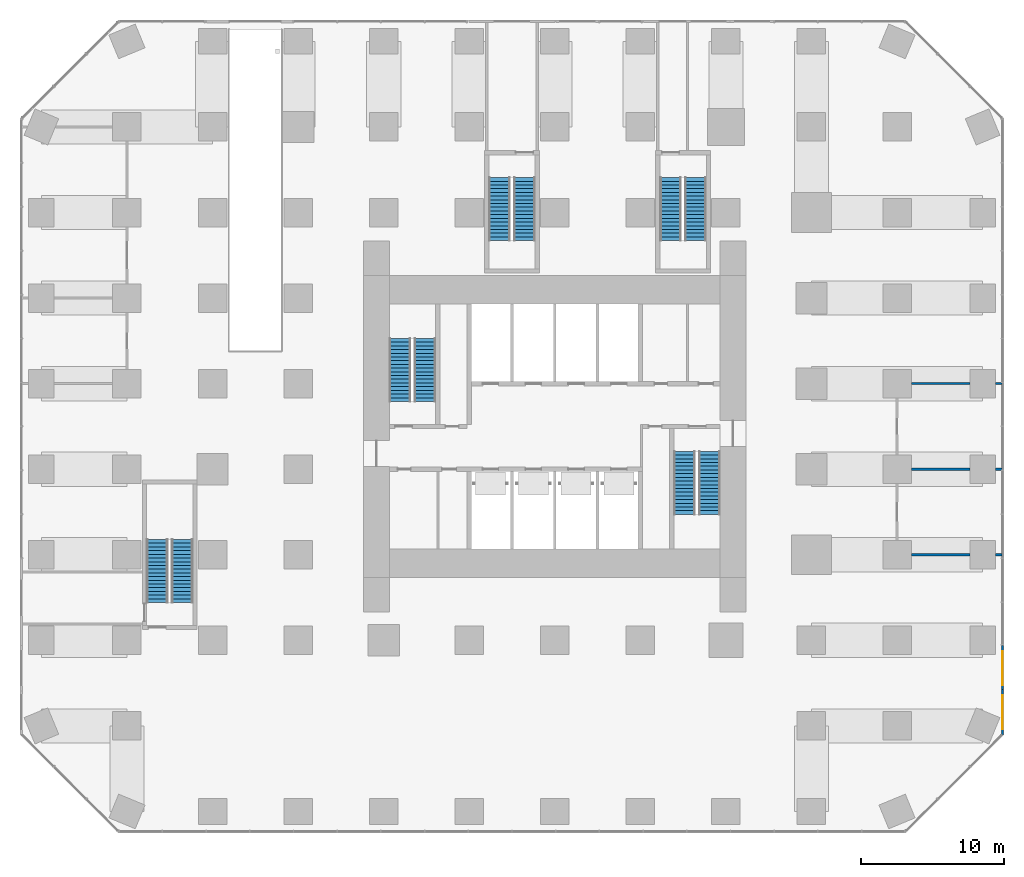
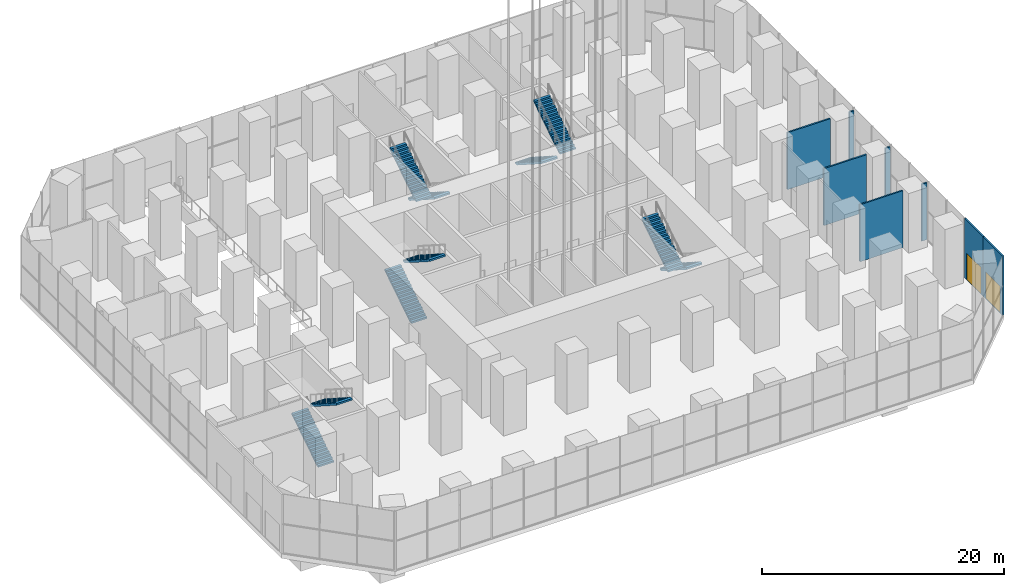
# One storey, part 15 of 21: 10 stair flights, 8 walls, 2 doors, 2 openings, 5 elements without a shape of their own.
"""IFC4 building model written with IfcOpenShell, lengths in metres."""

from ifc_helpers import new_model, si_unit, direction, frame, frame_2d, origin, place, context, subcontext, project, spatial, polyline, rectangle, outline, extrude, material, layer, layer_set, type_object, element, fill, aggregate, save


model = new_model("IFC4")

# Units and contexts
model_context = context("Model", 3, precision=1e-05, world=origin(), true_north=direction((0.0, 1.0)))
body_context = subcontext(model_context, "Body", "Model", "MODEL_VIEW")
ifc_project = project(units=[si_unit("LENGTHUNIT", "METRE"), si_unit("AREAUNIT", "SQUARE_METRE"), si_unit("VOLUMEUNIT", "CUBIC_METRE"), si_unit("PLANEANGLEUNIT", "RADIAN"), si_unit("MASSUNIT", "GRAM", prefix="KILO")], contexts=[model_context])

# Site, building, storey
site_placement = place(None, origin())
site = spatial("IfcSite", under=ifc_project, at=site_placement, CompositionType="ELEMENT")
building_placement = place(site_placement, origin())
building = spatial("IfcBuilding", under=site, at=building_placement, Name="Highveld Stack Headquarters", CompositionType="ELEMENT")
storey_placement = place(building_placement, origin())
storey = spatial("IfcBuildingStorey", under=building, at=storey_placement, Name="L00", CompositionType="ELEMENT", Elevation=0.0)

# Walls
ifc_material_1 = material(Name="Concrete blockwork, plastered", Category="masonry")
ifc_layer_1 = layer(ifc_material_1, 0.14990234375)
ifc_layer_set_1 = layer_set([ifc_layer_1], Name="Concrete blockwork, plastered")
wall_type_1 = type_object("IfcWallType", Name="FIRE PARTITION 150 BLOCKWORK", PredefinedType="PARTITIONING", material=ifc_layer_set_1)
wall_1_placement = place(storey_placement, frame((31.0, -6.0, 0.0), z_axis=(0.0, 0.0, 1.0), x_axis=(1.0, 0.0, 0.0)))
element("IfcWall", 1, at=wall_1_placement, inside=storey, type_object=wall_type_1, Name="Partition Fire control room L00", PredefinedType="PARTITIONING", context=body_context, shape_type="SweptSolid", body=[
    extrude(rectangle(XDim=4.10009765625, YDim=0.14990234375, at=frame_2d((2.050048828125, 0.0))), origin(), (0.0, 0.0, 1.0), 5.75),
])
wall_2_placement = place(storey_placement, frame((36.89990234375, -6.0, 0.0), z_axis=(0.0, 0.0, 1.0), x_axis=(1.0, 0.0, 0.0)))
element("IfcWall", 2, at=wall_2_placement, inside=storey, type_object=wall_type_1, Name="Partition Fire control room L00", PredefinedType="PARTITIONING", context=body_context, shape_type="SweptSolid", body=[
    extrude(rectangle(XDim=0.47509765625, YDim=0.14990234375, at=frame_2d((0.237548828125, 0.0))), origin(), (0.0, 0.0, 1.0), 5.75),
])
wall_3_placement = place(storey_placement, frame((31.0, 0.0, 0.0), z_axis=(0.0, 0.0, 1.0), x_axis=(1.0, 0.0, 0.0)))
element("IfcWall", 3, at=wall_3_placement, inside=storey, type_object=wall_type_1, Name="Partition Fire control room / Security office L00", PredefinedType="PARTITIONING", context=body_context, shape_type="SweptSolid", body=[
    extrude(rectangle(XDim=4.10009765625, YDim=0.14990234375, at=frame_2d((2.050048828125, 0.0))), origin(), (0.0, 0.0, 1.0), 5.75),
])
wall_4_placement = place(storey_placement, frame((36.89990234375, 0.0, 0.0), z_axis=(0.0, 0.0, 1.0), x_axis=(1.0, 0.0, 0.0)))
element("IfcWall", 4, at=wall_4_placement, inside=storey, type_object=wall_type_1, Name="Partition Fire control room / Security office L00", PredefinedType="PARTITIONING", context=body_context, shape_type="SweptSolid", body=[
    extrude(rectangle(XDim=0.4501953125, YDim=0.14990234375, at=frame_2d((0.22509765625, 0.0))), origin(), (0.0, 0.0, 1.0), 5.75),
])

# Wall, opening, door
ifc_material_2 = material(Name="Aluminium framed glazed screen", Category="aluminium")
ifc_layer_2 = layer(ifc_material_2, 0.14990234375)
ifc_layer_set_2 = layer_set([ifc_layer_2], Name="Aluminium framed glazed screen")
wall_type_2 = type_object("IfcWallType", Name="GLAZED DOOR SCREEN 150", PredefinedType="USERDEFINED", material=ifc_layer_set_2)
wall_5_placement = place(storey_placement, frame((37.39990234375, -15.45458984375, 0.0), z_axis=(0.0, 0.0, 1.0), x_axis=(0.0, -1.0, 0.0)))
wall_5 = element("IfcWall", 5, at=wall_5_placement, inside=storey, type_object=wall_type_2, Name="Glazed door screen L00 E", ObjectType="GLAZED SCREEN", PredefinedType="USERDEFINED", context=body_context, shape_type="SweptSolid", body=[
    extrude(rectangle(XDim=3.19287109375, YDim=0.14990234375, at=frame_2d((1.596435546875, 0.0))), origin(), (0.0, 0.0, 1.0), 6.0),
])
opening_1_placement = place(wall_5_placement, frame((0.3837890625, 0.0, 0.0)))
opening_1 = element("IfcOpeningElement", 6, at=opening_1_placement, cuts=wall_5, Name="Opening L00-01", PredefinedType="OPENING", context=body_context, shape_type="SweptSolid", body=[
    extrude(rectangle(XDim=2.39990234375, YDim=2.699951171875, at=frame_2d((1.199951171875, 1.35009765625))), frame((0.0, 0.0849609375, 0.0), z_axis=(0.0, -1.0, 0.0), x_axis=(1.0, 0.0, 0.0)), (0.0, 0.0, 1.0), 0.169921875),
])
ifc_material_3 = material(Name="Aluminium framed glass door", Category="aluminium")
door_type = type_object("IfcDoorType", Name="ENTRANCE DOOR D9 2400x2700", OperationType="DOUBLE_DOOR_SINGLE_SWING", PredefinedType="DOOR", material=ifc_material_3)
door_1_placement = place(opening_1_placement, origin())
door_1 = element("IfcDoor", 7, at=door_1_placement, inside=storey, type_object=door_type, Name="Entrance door L00 E", OperationType="DOUBLE_DOOR_SINGLE_SWING", OverallHeight=2.699951171875, OverallWidth=2.39990234375, PredefinedType="DOOR", context=body_context, shape_type="SweptSolid", body=[
    extrude(rectangle(XDim=2.39990234375, YDim=2.699951171875, at=frame_2d((1.199951171875, 1.35009765625))), frame((0.0, 0.02490234375, 0.0), z_axis=(0.0, -1.0, 0.0), x_axis=(1.0, 0.0, 0.0)), (0.0, 0.0, 1.0), 0.050048828125),
])
fill(opening_1, door_1)

wall_6_placement = place(storey_placement, frame((37.39990234375, -12.37158203125, 0.0), z_axis=(0.0, 0.0, 1.0), x_axis=(0.0, -1.0, 0.0)))
wall_6 = element("IfcWall", 8, at=wall_6_placement, inside=storey, type_object=wall_type_2, Name="Glazed door screen L00 E", ObjectType="GLAZED SCREEN", PredefinedType="USERDEFINED", context=body_context, shape_type="SweptSolid", body=[
    extrude(rectangle(XDim=3.16796875, YDim=0.14990234375, at=frame_2d((1.583984375, 0.0))), origin(), (0.0, 0.0, 1.0), 6.0),
])
opening_2_placement = place(wall_6_placement, frame((0.384033203125, 0.0, 0.0)))
opening_2 = element("IfcOpeningElement", 9, at=opening_2_placement, cuts=wall_6, Name="Opening L00-02", PredefinedType="OPENING", context=body_context, shape_type="SweptSolid", body=[
    extrude(rectangle(XDim=2.39990234375, YDim=2.699951171875, at=frame_2d((1.199951171875, 1.35009765625))), frame((0.0, 0.0849609375, 0.0), z_axis=(0.0, -1.0, 0.0), x_axis=(1.0, 0.0, 0.0)), (0.0, 0.0, 1.0), 0.169921875),
])
door_2_placement = place(opening_2_placement, origin())
door_2 = element("IfcDoor", 10, at=door_2_placement, inside=storey, type_object=door_type, Name="Entrance door L00 E", OperationType="DOUBLE_DOOR_SINGLE_SWING", OverallHeight=2.699951171875, OverallWidth=2.39990234375, PredefinedType="DOOR", context=body_context, shape_type="SweptSolid", body=[
    extrude(rectangle(XDim=2.39990234375, YDim=2.699951171875, at=frame_2d((1.199951171875, 1.35009765625))), frame((0.0, 0.02490234375, 0.0), z_axis=(0.0, -1.0, 0.0), x_axis=(1.0, 0.0, 0.0)), (0.0, 0.0, 1.0), 0.050048828125),
])
fill(opening_2, door_2)

# Walls
ifc_material_4 = material(Name="Gypsum plasterboard on steel studs", Category="steel")
ifc_layer_3 = layer(ifc_material_4, 0.14990234375)
ifc_layer_set_3 = layer_set([ifc_layer_3], Name="Gypsum plasterboard on steel studs")
wall_type_3 = type_object("IfcWallType", Name="PARTITION 150 PLASTERBOARD", PredefinedType="PARTITIONING", material=ifc_layer_set_3)
wall_7_placement = place(storey_placement, frame((31.0, 6.0, 0.0), z_axis=(0.0, 0.0, 1.0), x_axis=(1.0, 0.0, 0.0)))
element("IfcWall", 11, at=wall_7_placement, inside=storey, type_object=wall_type_3, Name="Partition Security office L00", PredefinedType="PARTITIONING", context=body_context, shape_type="SweptSolid", body=[
    extrude(rectangle(XDim=4.10009765625, YDim=0.14990234375, at=frame_2d((2.050048828125, 0.0))), origin(), (0.0, 0.0, 1.0), 5.75),
])
wall_8_placement = place(storey_placement, frame((36.89990234375, 6.0, 0.0), z_axis=(0.0, 0.0, 1.0), x_axis=(1.0, 0.0, 0.0)))
element("IfcWall", 12, at=wall_8_placement, inside=storey, type_object=wall_type_3, Name="Partition Security office L00", PredefinedType="PARTITIONING", context=body_context, shape_type="SweptSolid", body=[
    extrude(rectangle(XDim=0.4501953125, YDim=0.14990234375, at=frame_2d((0.22509765625, 0.0))), origin(), (0.0, 0.0, 1.0), 5.75),
])

# Stair, stair flights
ifc_material_5 = material(Name="Concrete C40/50, precast", Category="concrete")
stair_type_1 = type_object("IfcStairType", Name="STAIR S1 HALF TURN 1500", PredefinedType="HALF_TURN_STAIR", material=ifc_material_5)
stair_1_placement = place(storey_placement, origin())
stair_1 = element("IfcStair", 13, at=stair_1_placement, inside=storey, type_object=stair_type_1, Name="Stair S1 L00", PredefinedType="HALF_TURN_STAIR")
ifc_material_6 = material(Name="Concrete C40/50, precast", Category="concrete")
stair_flight_type = type_object("IfcStairFlightType", Name="STAIR FLIGHT 1500 PRECAST", PredefinedType="STRAIGHT", material=ifc_material_6)
stair_flight_1_placement = place(storey_placement, frame((-4.85009765625, 4.75, 0.0), z_axis=(0.0, 0.0, 1.0), x_axis=(0.0, 1.0, 0.0)))
stair_flight_1 = element("IfcStairFlight", 14, at=stair_flight_1_placement, type_object=stair_flight_type, Name="S1 flight 1", NumberOfRisers=18, NumberOfTreads=17, PredefinedType="STRAIGHT", RiserHeight=0.166666667, TreadLength=0.26, context=body_context, shape_type="SweptSolid", body=[
    extrude(outline(polyline([(0.0, 0.0), (0.0, 0.166748046875), (0.260009765625, 0.166748046875), (0.260009765625, 0.333251953125), (0.52001953125, 0.333251953125), (0.52001953125, 0.5), (0.780029296875, 0.5), (0.780029296875, 0.666748046875), (1.0400390625, 0.666748046875), (1.0400390625, 0.833251953125), (1.300048828125, 0.833251953125), (1.300048828125, 1.0), (1.56005859375, 1.0), (1.56005859375, 1.166748046875), (1.820068359375, 1.166748046875), (1.820068359375, 1.333251953125), (2.080078125, 1.333251953125), (2.080078125, 1.5), (2.340087890625, 1.5), (2.340087890625, 1.666748046875), (2.60009765625, 1.666748046875), (2.60009765625, 1.833251953125), (2.860107421875, 1.833251953125), (2.860107421875, 2.0), (3.1201171875, 2.0), (3.1201171875, 2.166748046875), (3.3798828125, 2.166748046875), (3.3798828125, 2.333251953125), (3.639892578125, 2.333251953125), (3.639892578125, 2.5), (3.89990234375, 2.5), (3.89990234375, 2.666748046875), (4.159912109375, 2.666748046875), (4.159912109375, 2.833251953125), (4.419921875, 2.833251953125), (4.419921875, 3.0), (4.419921875, 2.6552734375), (0.27783203125, 0.0), (0.0, 0.0)])), frame((0.0, 0.75, 0.0), z_axis=(0.0, -1.0, 0.0), x_axis=(1.0, 0.0, 0.0)), (0.0, 0.0, 1.0), 1.5),
])
stair_flight_2_placement = place(storey_placement, frame((-3.10009765625, 9.169921875, 3.0), z_axis=(0.0, 0.0, 1.0), x_axis=(0.0, -1.0, 0.0)))
stair_flight_2 = element("IfcStairFlight", 15, at=stair_flight_2_placement, type_object=stair_flight_type, Name="S1 flight 2", NumberOfRisers=18, NumberOfTreads=17, PredefinedType="STRAIGHT", RiserHeight=0.166666667, TreadLength=0.26, context=body_context, shape_type="SweptSolid", body=[
    extrude(outline(polyline([(0.0, 0.0), (0.0, 0.166748046875), (0.260009765625, 0.166748046875), (0.260009765625, 0.333251953125), (0.52001953125, 0.333251953125), (0.52001953125, 0.5), (0.780029296875, 0.5), (0.780029296875, 0.666748046875), (1.0400390625, 0.666748046875), (1.0400390625, 0.833251953125), (1.300048828125, 0.833251953125), (1.300048828125, 1.0), (1.56005859375, 1.0), (1.56005859375, 1.166748046875), (1.820068359375, 1.166748046875), (1.820068359375, 1.333251953125), (2.080078125, 1.333251953125), (2.080078125, 1.5), (2.340087890625, 1.5), (2.340087890625, 1.666748046875), (2.60009765625, 1.666748046875), (2.60009765625, 1.833251953125), (2.860107421875, 1.833251953125), (2.860107421875, 2.0), (3.1201171875, 2.0), (3.1201171875, 2.166748046875), (3.3798828125, 2.166748046875), (3.3798828125, 2.333251953125), (3.639892578125, 2.333251953125), (3.639892578125, 2.5), (3.89990234375, 2.5), (3.89990234375, 2.666748046875), (4.159912109375, 2.666748046875), (4.159912109375, 2.833251953125), (4.419921875, 2.833251953125), (4.419921875, 3.0), (4.419921875, 2.6552734375), (0.27783203125, 0.0), (0.0, 0.0)])), frame((0.0, 0.75, 0.0), z_axis=(0.0, -1.0, 0.0), x_axis=(1.0, 0.0, 0.0)), (0.0, 0.0, 1.0), 1.5),
])
aggregate(stair_1, [stair_flight_1, stair_flight_2])

ifc_material_7 = material(Name="Concrete C40/50, precast", Category="concrete")
stair_type_2 = type_object("IfcStairType", Name="STAIR S2 HALF TURN 1500", PredefinedType="HALF_TURN_STAIR", material=ifc_material_7)
stair_2_placement = place(storey_placement, origin())
stair_2 = element("IfcStair", 16, at=stair_2_placement, inside=storey, type_object=stair_type_2, Name="Stair S2 L00", PredefinedType="HALF_TURN_STAIR")
stair_flight_3_placement = place(storey_placement, frame((16.85009765625, 1.25, 0.0), z_axis=(0.0, 0.0, 1.0), x_axis=(0.0, -1.0, 0.0)))
stair_flight_3 = element("IfcStairFlight", 17, at=stair_flight_3_placement, type_object=stair_flight_type, Name="S2 flight 1", NumberOfRisers=18, NumberOfTreads=17, PredefinedType="STRAIGHT", RiserHeight=0.166666667, TreadLength=0.26, context=body_context, shape_type="SweptSolid", body=[
    extrude(outline(polyline([(0.0, 0.0), (0.0, 0.166748046875), (0.260009765625, 0.166748046875), (0.260009765625, 0.333251953125), (0.52001953125, 0.333251953125), (0.52001953125, 0.5), (0.780029296875, 0.5), (0.780029296875, 0.666748046875), (1.0400390625, 0.666748046875), (1.0400390625, 0.833251953125), (1.300048828125, 0.833251953125), (1.300048828125, 1.0), (1.56005859375, 1.0), (1.56005859375, 1.166748046875), (1.820068359375, 1.166748046875), (1.820068359375, 1.333251953125), (2.080078125, 1.333251953125), (2.080078125, 1.5), (2.340087890625, 1.5), (2.340087890625, 1.666748046875), (2.60009765625, 1.666748046875), (2.60009765625, 1.833251953125), (2.860107421875, 1.833251953125), (2.860107421875, 2.0), (3.1201171875, 2.0), (3.1201171875, 2.166748046875), (3.3798828125, 2.166748046875), (3.3798828125, 2.333251953125), (3.639892578125, 2.333251953125), (3.639892578125, 2.5), (3.89990234375, 2.5), (3.89990234375, 2.666748046875), (4.159912109375, 2.666748046875), (4.159912109375, 2.833251953125), (4.419921875, 2.833251953125), (4.419921875, 3.0), (4.419921875, 2.6552734375), (0.27783203125, 0.0), (0.0, 0.0)])), frame((0.0, 0.75, 0.0), z_axis=(0.0, -1.0, 0.0), x_axis=(1.0, 0.0, 0.0)), (0.0, 0.0, 1.0), 1.5),
])
stair_flight_4_placement = place(storey_placement, frame((15.10009765625, -3.169921875, 3.0), z_axis=(0.0, 0.0, 1.0), x_axis=(0.0, 1.0, 0.0)))
stair_flight_4 = element("IfcStairFlight", 18, at=stair_flight_4_placement, type_object=stair_flight_type, Name="S2 flight 2", NumberOfRisers=18, NumberOfTreads=17, PredefinedType="STRAIGHT", RiserHeight=0.166666667, TreadLength=0.26, context=body_context, shape_type="SweptSolid", body=[
    extrude(outline(polyline([(0.0, 0.0), (0.0, 0.166748046875), (0.260009765625, 0.166748046875), (0.260009765625, 0.333251953125), (0.52001953125, 0.333251953125), (0.52001953125, 0.5), (0.780029296875, 0.5), (0.780029296875, 0.666748046875), (1.0400390625, 0.666748046875), (1.0400390625, 0.833251953125), (1.300048828125, 0.833251953125), (1.300048828125, 1.0), (1.56005859375, 1.0), (1.56005859375, 1.166748046875), (1.820068359375, 1.166748046875), (1.820068359375, 1.333251953125), (2.080078125, 1.333251953125), (2.080078125, 1.5), (2.340087890625, 1.5), (2.340087890625, 1.666748046875), (2.60009765625, 1.666748046875), (2.60009765625, 1.833251953125), (2.860107421875, 1.833251953125), (2.860107421875, 2.0), (3.1201171875, 2.0), (3.1201171875, 2.166748046875), (3.3798828125, 2.166748046875), (3.3798828125, 2.333251953125), (3.639892578125, 2.333251953125), (3.639892578125, 2.5), (3.89990234375, 2.5), (3.89990234375, 2.666748046875), (4.159912109375, 2.666748046875), (4.159912109375, 2.833251953125), (4.419921875, 2.833251953125), (4.419921875, 3.0), (4.419921875, 2.6552734375), (0.27783203125, 0.0), (0.0, 0.0)])), frame((0.0, 0.75, 0.0), z_axis=(0.0, -1.0, 0.0), x_axis=(1.0, 0.0, 0.0)), (0.0, 0.0, 1.0), 1.5),
])
aggregate(stair_2, [stair_flight_3, stair_flight_4])

ifc_material_8 = material(Name="Concrete C40/50, precast", Category="concrete")
stair_type_3 = type_object("IfcStairType", Name="STAIR PS1 HALF TURN 1500", PredefinedType="HALF_TURN_STAIR", material=ifc_material_8)
stair_3_placement = place(storey_placement, origin())
stair_3 = element("IfcStair", 19, at=stair_3_placement, inside=storey, type_object=stair_type_3, Name="Stair PS1 L00", PredefinedType="HALF_TURN_STAIR")
stair_flight_5_placement = place(storey_placement, frame((-21.875, -9.35009765625, 0.0), z_axis=(0.0, 0.0, 1.0), x_axis=(0.0, 1.0, 0.0)))
stair_flight_5 = element("IfcStairFlight", 20, at=stair_flight_5_placement, type_object=stair_flight_type, Name="PS1 flight 1", NumberOfRisers=18, NumberOfTreads=17, PredefinedType="STRAIGHT", RiserHeight=0.166666667, TreadLength=0.26, context=body_context, shape_type="SweptSolid", body=[
    extrude(outline(polyline([(0.0, 0.0), (0.0, 0.166748046875), (0.260009765625, 0.166748046875), (0.260009765625, 0.333251953125), (0.52001953125, 0.333251953125), (0.52001953125, 0.5), (0.780029296875, 0.5), (0.780029296875, 0.666748046875), (1.0400390625, 0.666748046875), (1.0400390625, 0.833251953125), (1.300048828125, 0.833251953125), (1.300048828125, 1.0), (1.56005859375, 1.0), (1.56005859375, 1.166748046875), (1.820068359375, 1.166748046875), (1.820068359375, 1.333251953125), (2.080078125, 1.333251953125), (2.080078125, 1.5), (2.340087890625, 1.5), (2.340087890625, 1.666748046875), (2.60009765625, 1.666748046875), (2.60009765625, 1.833251953125), (2.860107421875, 1.833251953125), (2.860107421875, 2.0), (3.1201171875, 2.0), (3.1201171875, 2.166748046875), (3.3798828125, 2.166748046875), (3.3798828125, 2.333251953125), (3.639892578125, 2.333251953125), (3.639892578125, 2.5), (3.89990234375, 2.5), (3.89990234375, 2.666748046875), (4.159912109375, 2.666748046875), (4.159912109375, 2.833251953125), (4.419921875, 2.833251953125), (4.419921875, 3.0), (4.419921875, 2.6552734375), (0.27783203125, 0.0), (0.0, 0.0)])), frame((0.0, 0.75, 0.0), z_axis=(0.0, -1.0, 0.0), x_axis=(1.0, 0.0, 0.0)), (0.0, 0.0, 1.0), 1.5),
])
stair_flight_6_placement = place(storey_placement, frame((-20.125, -4.929931640625, 3.0), z_axis=(0.0, 0.0, 1.0), x_axis=(0.0, -1.0, 0.0)))
stair_flight_6 = element("IfcStairFlight", 21, at=stair_flight_6_placement, type_object=stair_flight_type, Name="PS1 flight 2", NumberOfRisers=18, NumberOfTreads=17, PredefinedType="STRAIGHT", RiserHeight=0.166666667, TreadLength=0.26, context=body_context, shape_type="SweptSolid", body=[
    extrude(outline(polyline([(0.0, 0.0), (0.0, 0.166748046875), (0.260009765625, 0.166748046875), (0.260009765625, 0.333251953125), (0.52001953125, 0.333251953125), (0.52001953125, 0.5), (0.780029296875, 0.5), (0.780029296875, 0.666748046875), (1.0400390625, 0.666748046875), (1.0400390625, 0.833251953125), (1.300048828125, 0.833251953125), (1.300048828125, 1.0), (1.56005859375, 1.0), (1.56005859375, 1.166748046875), (1.820068359375, 1.166748046875), (1.820068359375, 1.333251953125), (2.080078125, 1.333251953125), (2.080078125, 1.5), (2.340087890625, 1.5), (2.340087890625, 1.666748046875), (2.60009765625, 1.666748046875), (2.60009765625, 1.833251953125), (2.860107421875, 1.833251953125), (2.860107421875, 2.0), (3.1201171875, 2.0), (3.1201171875, 2.166748046875), (3.3798828125, 2.166748046875), (3.3798828125, 2.333251953125), (3.639892578125, 2.333251953125), (3.639892578125, 2.5), (3.89990234375, 2.5), (3.89990234375, 2.666748046875), (4.159912109375, 2.666748046875), (4.159912109375, 2.833251953125), (4.419921875, 2.833251953125), (4.419921875, 3.0), (4.419921875, 2.6552734375), (0.27783203125, 0.0), (0.0, 0.0)])), frame((0.0, 0.75, 0.0), z_axis=(0.0, -1.0, 0.0), x_axis=(1.0, 0.0, 0.0)), (0.0, 0.0, 1.0), 1.5),
])
aggregate(stair_3, [stair_flight_5, stair_flight_6])

ifc_material_9 = material(Name="Concrete C40/50, precast", Category="concrete")
stair_type_4 = type_object("IfcStairType", Name="STAIR PS2 HALF TURN 1500", PredefinedType="HALF_TURN_STAIR", material=ifc_material_9)
stair_4_placement = place(storey_placement, origin())
stair_4 = element("IfcStair", 22, at=stair_4_placement, inside=storey, type_object=stair_type_4, Name="Stair PS2 L00", PredefinedType="HALF_TURN_STAIR")
stair_flight_7_placement = place(storey_placement, frame((14.125, 20.449951171875, 0.0), z_axis=(0.0, 0.0, 1.0), x_axis=(0.0, -1.0, 0.0)))
stair_flight_7 = element("IfcStairFlight", 23, at=stair_flight_7_placement, type_object=stair_flight_type, Name="PS2 flight 1", NumberOfRisers=18, NumberOfTreads=17, PredefinedType="STRAIGHT", RiserHeight=0.166666667, TreadLength=0.26, context=body_context, shape_type="SweptSolid", body=[
    extrude(outline(polyline([(0.0, 0.0), (0.0, 0.166748046875), (0.260009765625, 0.166748046875), (0.260009765625, 0.333251953125), (0.52001953125, 0.333251953125), (0.52001953125, 0.5), (0.780029296875, 0.5), (0.780029296875, 0.666748046875), (1.0400390625, 0.666748046875), (1.0400390625, 0.833251953125), (1.300048828125, 0.833251953125), (1.300048828125, 1.0), (1.56005859375, 1.0), (1.56005859375, 1.166748046875), (1.820068359375, 1.166748046875), (1.820068359375, 1.333251953125), (2.080078125, 1.333251953125), (2.080078125, 1.5), (2.340087890625, 1.5), (2.340087890625, 1.666748046875), (2.60009765625, 1.666748046875), (2.60009765625, 1.833251953125), (2.860107421875, 1.833251953125), (2.860107421875, 2.0), (3.1201171875, 2.0), (3.1201171875, 2.166748046875), (3.3798828125, 2.166748046875), (3.3798828125, 2.333251953125), (3.639892578125, 2.333251953125), (3.639892578125, 2.5), (3.89990234375, 2.5), (3.89990234375, 2.666748046875), (4.159912109375, 2.666748046875), (4.159912109375, 2.833251953125), (4.419921875, 2.833251953125), (4.419921875, 3.0), (4.419921875, 2.6552734375), (0.27783203125, 0.0), (0.0, 0.0)])), frame((0.0, 0.75, 0.0), z_axis=(0.0, -1.0, 0.0), x_axis=(1.0, 0.0, 0.0)), (0.0, 0.0, 1.0), 1.5),
])
stair_flight_8_placement = place(storey_placement, frame((15.875, 16.030029296875, 3.0), z_axis=(0.0, 0.0, 1.0), x_axis=(0.0, 1.0, 0.0)))
stair_flight_8 = element("IfcStairFlight", 24, at=stair_flight_8_placement, type_object=stair_flight_type, Name="PS2 flight 2", NumberOfRisers=18, NumberOfTreads=17, PredefinedType="STRAIGHT", RiserHeight=0.166666667, TreadLength=0.26, context=body_context, shape_type="SweptSolid", body=[
    extrude(outline(polyline([(0.0, 0.0), (0.0, 0.166748046875), (0.260009765625, 0.166748046875), (0.260009765625, 0.333251953125), (0.52001953125, 0.333251953125), (0.52001953125, 0.5), (0.780029296875, 0.5), (0.780029296875, 0.666748046875), (1.0400390625, 0.666748046875), (1.0400390625, 0.833251953125), (1.300048828125, 0.833251953125), (1.300048828125, 1.0), (1.56005859375, 1.0), (1.56005859375, 1.166748046875), (1.820068359375, 1.166748046875), (1.820068359375, 1.333251953125), (2.080078125, 1.333251953125), (2.080078125, 1.5), (2.340087890625, 1.5), (2.340087890625, 1.666748046875), (2.60009765625, 1.666748046875), (2.60009765625, 1.833251953125), (2.860107421875, 1.833251953125), (2.860107421875, 2.0), (3.1201171875, 2.0), (3.1201171875, 2.166748046875), (3.3798828125, 2.166748046875), (3.3798828125, 2.333251953125), (3.639892578125, 2.333251953125), (3.639892578125, 2.5), (3.89990234375, 2.5), (3.89990234375, 2.666748046875), (4.159912109375, 2.666748046875), (4.159912109375, 2.833251953125), (4.419921875, 2.833251953125), (4.419921875, 3.0), (4.419921875, 2.6552734375), (0.27783203125, 0.0), (0.0, 0.0)])), frame((0.0, 0.75, 0.0), z_axis=(0.0, -1.0, 0.0), x_axis=(1.0, 0.0, 0.0)), (0.0, 0.0, 1.0), 1.5),
])
aggregate(stair_4, [stair_flight_7, stair_flight_8])

ifc_material_10 = material(Name="Concrete C40/50, precast", Category="concrete")
stair_type_5 = type_object("IfcStairType", Name="STAIR PS3 HALF TURN 1500", PredefinedType="HALF_TURN_STAIR", material=ifc_material_10)
stair_5_placement = place(storey_placement, origin())
stair_5 = element("IfcStair", 25, at=stair_5_placement, inside=storey, type_object=stair_type_5, Name="Stair PS3 L00", PredefinedType="HALF_TURN_STAIR")
stair_flight_9_placement = place(storey_placement, frame((3.875, 20.449951171875, 0.0), z_axis=(0.0, 0.0, 1.0), x_axis=(0.0, -1.0, 0.0)))
stair_flight_9 = element("IfcStairFlight", 26, at=stair_flight_9_placement, type_object=stair_flight_type, Name="PS3 flight 1", NumberOfRisers=18, NumberOfTreads=17, PredefinedType="STRAIGHT", RiserHeight=0.166666667, TreadLength=0.26, context=body_context, shape_type="SweptSolid", body=[
    extrude(outline(polyline([(0.0, 0.0), (0.0, 0.166748046875), (0.260009765625, 0.166748046875), (0.260009765625, 0.333251953125), (0.52001953125, 0.333251953125), (0.52001953125, 0.5), (0.780029296875, 0.5), (0.780029296875, 0.666748046875), (1.0400390625, 0.666748046875), (1.0400390625, 0.833251953125), (1.300048828125, 0.833251953125), (1.300048828125, 1.0), (1.56005859375, 1.0), (1.56005859375, 1.166748046875), (1.820068359375, 1.166748046875), (1.820068359375, 1.333251953125), (2.080078125, 1.333251953125), (2.080078125, 1.5), (2.340087890625, 1.5), (2.340087890625, 1.666748046875), (2.60009765625, 1.666748046875), (2.60009765625, 1.833251953125), (2.860107421875, 1.833251953125), (2.860107421875, 2.0), (3.1201171875, 2.0), (3.1201171875, 2.166748046875), (3.3798828125, 2.166748046875), (3.3798828125, 2.333251953125), (3.639892578125, 2.333251953125), (3.639892578125, 2.5), (3.89990234375, 2.5), (3.89990234375, 2.666748046875), (4.159912109375, 2.666748046875), (4.159912109375, 2.833251953125), (4.419921875, 2.833251953125), (4.419921875, 3.0), (4.419921875, 2.6552734375), (0.27783203125, 0.0), (0.0, 0.0)])), frame((0.0, 0.75, 0.0), z_axis=(0.0, -1.0, 0.0), x_axis=(1.0, 0.0, 0.0)), (0.0, 0.0, 1.0), 1.5),
])
stair_flight_10_placement = place(storey_placement, frame((2.125, 16.030029296875, 3.0), z_axis=(0.0, 0.0, 1.0), x_axis=(0.0, 1.0, 0.0)))
stair_flight_10 = element("IfcStairFlight", 27, at=stair_flight_10_placement, type_object=stair_flight_type, Name="PS3 flight 2", NumberOfRisers=18, NumberOfTreads=17, PredefinedType="STRAIGHT", RiserHeight=0.166666667, TreadLength=0.26, context=body_context, shape_type="SweptSolid", body=[
    extrude(outline(polyline([(0.0, 0.0), (0.0, 0.166748046875), (0.260009765625, 0.166748046875), (0.260009765625, 0.333251953125), (0.52001953125, 0.333251953125), (0.52001953125, 0.5), (0.780029296875, 0.5), (0.780029296875, 0.666748046875), (1.0400390625, 0.666748046875), (1.0400390625, 0.833251953125), (1.300048828125, 0.833251953125), (1.300048828125, 1.0), (1.56005859375, 1.0), (1.56005859375, 1.166748046875), (1.820068359375, 1.166748046875), (1.820068359375, 1.333251953125), (2.080078125, 1.333251953125), (2.080078125, 1.5), (2.340087890625, 1.5), (2.340087890625, 1.666748046875), (2.60009765625, 1.666748046875), (2.60009765625, 1.833251953125), (2.860107421875, 1.833251953125), (2.860107421875, 2.0), (3.1201171875, 2.0), (3.1201171875, 2.166748046875), (3.3798828125, 2.166748046875), (3.3798828125, 2.333251953125), (3.639892578125, 2.333251953125), (3.639892578125, 2.5), (3.89990234375, 2.5), (3.89990234375, 2.666748046875), (4.159912109375, 2.666748046875), (4.159912109375, 2.833251953125), (4.419921875, 2.833251953125), (4.419921875, 3.0), (4.419921875, 2.6552734375), (0.27783203125, 0.0), (0.0, 0.0)])), frame((0.0, 0.75, 0.0), z_axis=(0.0, -1.0, 0.0), x_axis=(1.0, 0.0, 0.0)), (0.0, 0.0, 1.0), 1.5),
])
aggregate(stair_5, [stair_flight_9, stair_flight_10])

save(model, "model.ifc")
